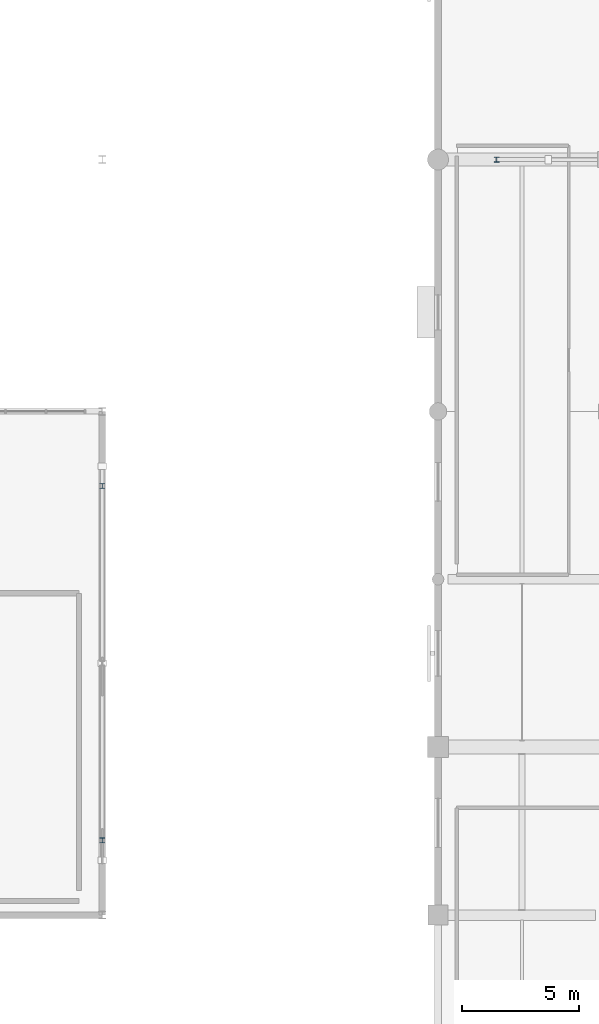
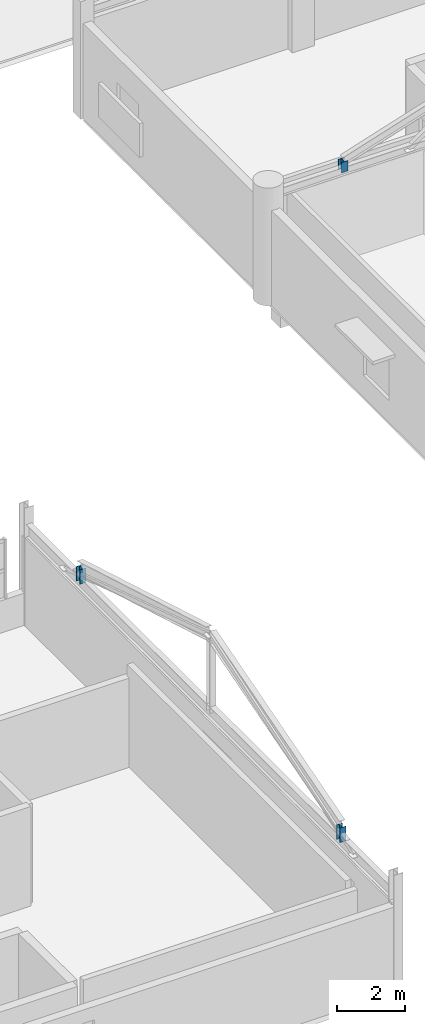
# One storey, part 41 of 90: 3 members.
"""IFC4 building model written with IfcOpenShell, lengths in metres."""

from ifc_helpers import new_model, si_unit, direction, frame, origin, origin_2d, place, context, subcontext, project, spatial, i_section, extrude, material, material_profile, profile_set, type_object, element, save


model = new_model("IFC4")

# Units and contexts
model_context = context("Model", 3, precision=1e-05, world=origin(), true_north=direction((0.0, 1.0)))
body_context = subcontext(model_context, "Body", "Model", "MODEL_VIEW")
ifc_project = project(units=[si_unit("LENGTHUNIT", "METRE"), si_unit("AREAUNIT", "SQUARE_METRE"), si_unit("VOLUMEUNIT", "CUBIC_METRE"), si_unit("PLANEANGLEUNIT", "RADIAN"), si_unit("MASSUNIT", "GRAM", prefix="KILO")], contexts=[model_context])

# Site, building, storey
site_placement = place(None, origin())
site = spatial("IfcSite", under=ifc_project, at=site_placement, CompositionType="ELEMENT")
building_placement = place(site_placement, origin())
building = spatial("IfcBuilding", under=site, at=building_placement, Name="Solanera Park Tramway Depot", CompositionType="ELEMENT")
storey_placement = place(building_placement, frame((0.0, 0.0, 9.0)))
storey = spatial("IfcBuildingStorey", under=building, at=storey_placement, Name="L02", CompositionType="ELEMENT", Elevation=9.0)

# Members
ifc_material = material(Name="Steel AS/NZS 3679.1 Grade 350", Category="steel")
ifc_material_profile = material_profile(ifc_material, i_section(OverallWidth=0.205078125, OverallDepth=0.209716796875, WebThickness=0.00927734375, FlangeThickness=0.01416015625, at=origin_2d()), Name="200UC59.5")
ifc_profile_set = profile_set([ifc_material_profile], Name="Steel AS/NZS 3679.1 Grade 350")
member_type = type_object("IfcMemberType", Name="Roof Gantry Compression Strut 200UC59.5", PredefinedType="STRUT", material=ifc_profile_set)
for number, where, z_axis, x_axis, name in (
    (1, (93.60009765625, 14.0, 3.376220703125), (0.0, 0.0, 1.0), (1.0, 0.0, 0.0), "Hip ROOF TRUSS Heel Post #0113"),
    (2, (93.60009765625, 29.199951171875, 3.376220703125), (0.0, 0.0, 1.0), (1.0, 0.0, 0.0), "Hip ROOF TRUSS Heel Post #0114"),
):
    element("IfcMember", number, at=place(storey_placement, frame(where, z_axis=z_axis, x_axis=x_axis)), inside=storey, type_object=member_type, Name=name, PredefinedType="STRUT", context=body_context, shape_type="SweptSolid", body=[
        extrude(i_section(OverallWidth=0.205078125, OverallDepth=0.209716796875, WebThickness=0.00927734375, FlangeThickness=0.01416015625, at=origin_2d()), origin(), (0.0, 0.0, 1.0), 0.517578125),
    ])
member_placement = place(storey_placement, frame((110.52001953125, 43.199951171875, 3.648193359375), z_axis=(0.0, 0.0, 1.0), x_axis=(1.0, 0.0, 0.0)))
element("IfcMember", 3, at=member_placement, inside=storey, type_object=member_type, Name="Hip ROOF TRUSS Heel Post #0146", PredefinedType="STRUT", context=body_context, shape_type="SweptSolid", body=[
    extrude(i_section(OverallWidth=0.205078125, OverallDepth=0.209716796875, WebThickness=0.00927734375, FlangeThickness=0.01416015625, at=origin_2d()), origin(), (0.0, 0.0, 1.0), 0.36376953125),
])

save(model, "model.ifc")
